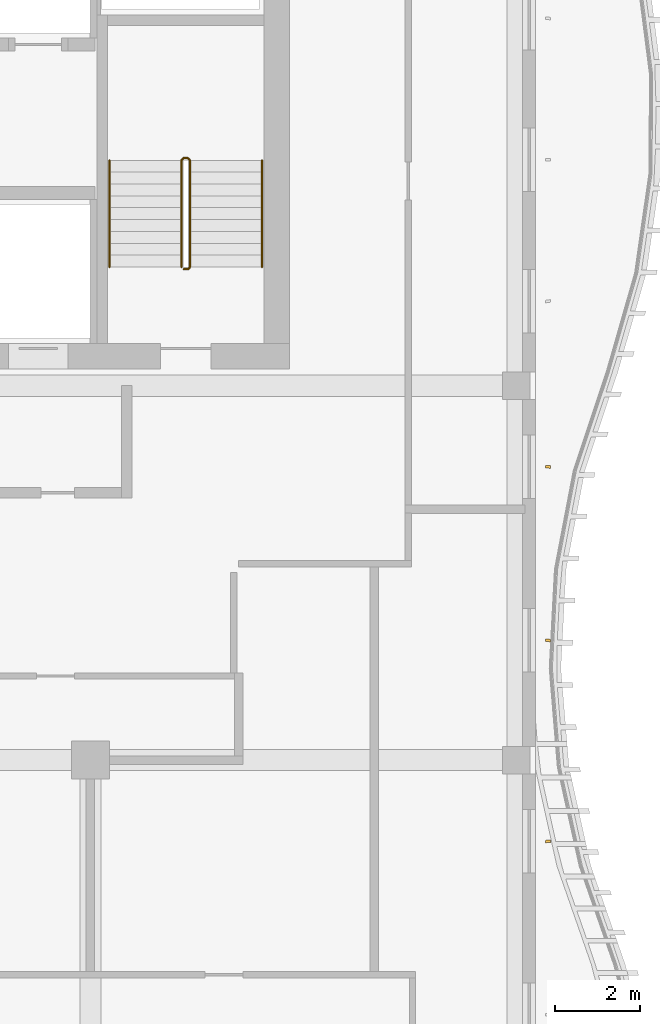
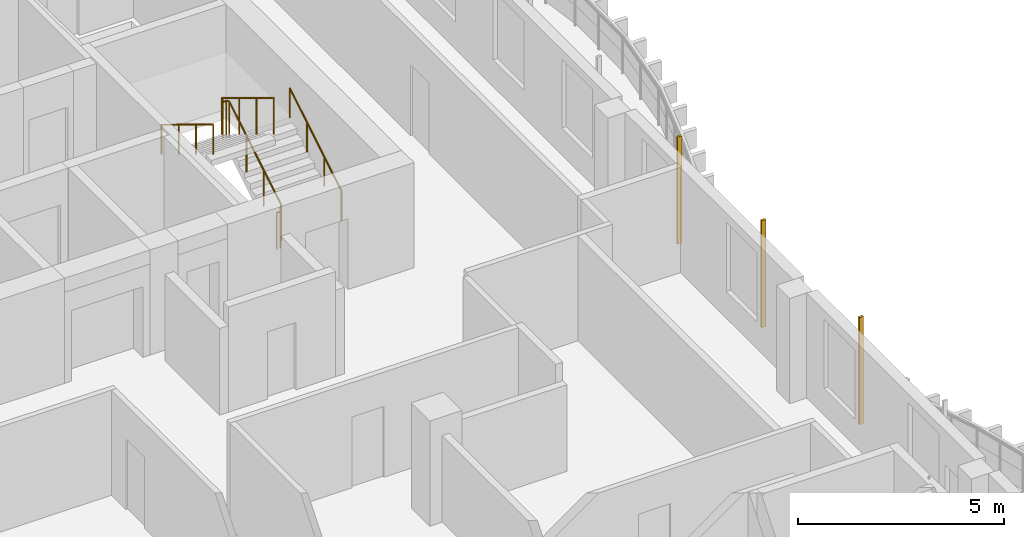
# One storey, part 16 of 18: 3 railings, 3 shading devices.
"""IFC4 building model written with IfcOpenShell, lengths in metres."""

from ifc_helpers import new_model, si_unit, direction, frame, origin, origin_2d, place, context, subcontext, project, spatial, rectangle, circle, extrude, source, transform, mapped, material, material_profile, profile_set, type_object, element, save


model = new_model("IFC4")

# Units and contexts
model_context = context("Model", 3, precision=1e-05, world=origin(), true_north=direction((0.0, 1.0)))
body_context = subcontext(model_context, "Body", "Model", "MODEL_VIEW")
ifc_project = project(units=[si_unit("LENGTHUNIT", "METRE"), si_unit("AREAUNIT", "SQUARE_METRE"), si_unit("VOLUMEUNIT", "CUBIC_METRE"), si_unit("PLANEANGLEUNIT", "RADIAN"), si_unit("MASSUNIT", "GRAM", prefix="KILO")], contexts=[model_context])

# Site, building, storey
site_placement = place(None, origin())
site = spatial("IfcSite", under=ifc_project, at=site_placement, CompositionType="ELEMENT")
building_placement = place(site_placement, origin())
building = spatial("IfcBuilding", under=site, at=building_placement, Name="Kilnfold Tower and Market Hall", CompositionType="ELEMENT")
storey_placement = place(building_placement, frame((0.0, 0.0, 277.199951171875)))
storey = spatial("IfcBuildingStorey", under=building, at=storey_placement, Name="L68", CompositionType="ELEMENT", Elevation=277.199951171875)

# Railings
ifc_material_1 = material(Name="Stainless steel 316", Category="steel")
railing_type_1 = type_object("IfcRailingType", Name="CORE STAIR GUARD 1100", PredefinedType="GUARDRAIL", material=ifc_material_1)
railing_1_placement = place(storey_placement, frame((15.199951171875, 10.75, 0.0)))
element("IfcRailing", 1, at=railing_1_placement, inside=storey, type_object=railing_type_1, Name="L68 ST2 stair guard 1", PredefinedType="GUARDRAIL", context=body_context, shape_type="SweptSolid", body=[
    extrude(circle(Radius=0.02392578125, at=origin_2d()), frame((0.0, 0.0, 1.076171875), z_axis=(1.0, 0.0, 0.0), x_axis=(0.0, 1.0, 0.0)), (0.0, 0.0, 1.0), 0.10009765625),
    extrude(circle(Radius=0.02392578125, at=origin_2d()), frame((0.10009765625, 0.0, 1.076171875), z_axis=(0.271562723297, 0.271562723297, 0.923313259209), x_axis=(-0.707106781187, 0.707106781187, 0.0)), (0.0, 0.0, 1.0), 0.184326171875),
    extrude(circle(Radius=0.02392578125, at=origin_2d()), frame((0.150146484375, 0.050048828125, 1.24609375), z_axis=(0.0, 0.854821627497, 0.518921945155), x_axis=(-1.0, 0.0, 0.0)), (0.0, 0.0, 1.0), 2.947998046875),
    extrude(circle(Radius=0.02392578125, at=origin_2d()), frame((0.150146484375, 2.570068359375, 2.77587890625), z_axis=(-0.707106781187, 0.707106781187, 0.0), x_axis=(-0.707106781187, -0.707106781187, 0.0)), (0.0, 0.0, 1.0), 0.07080078125),
    extrude(circle(Radius=0.02392578125, at=origin_2d()), frame((0.10009765625, 2.6201171875, 2.77587890625), z_axis=(-1.0, 0.0, 0.0), x_axis=(0.0, -1.0, 0.0)), (0.0, 0.0, 1.0), 0.10009765625),
    extrude(circle(Radius=0.02392578125, at=origin_2d()), frame((0.0, 2.6201171875, 2.77587890625), z_axis=(-0.271562723297, -0.271562723297, 0.923313259209), x_axis=(0.707106781187, -0.707106781187, 0.0)), (0.0, 0.0, 1.0), 0.184326171875),
    extrude(circle(Radius=0.02392578125, at=origin_2d()), frame((-0.050048828125, 2.570068359375, 2.9462890625), z_axis=(0.0, -0.85478489116, 0.518982456201), x_axis=(1.0, 0.0, 0.0)), (0.0, 0.0, 1.0), 2.9482421875),
    extrude(circle(Radius=0.02099609375, at=origin_2d()), origin(), (0.0, 0.0, 1.0), 1.052001953125),
    extrude(circle(Radius=0.02099609375, at=origin_2d()), frame((0.10009765625, 0.0, 0.0)), (0.0, 0.0, 1.0), 1.052001953125),
    extrude(circle(Radius=0.02099609375, at=origin_2d()), frame((0.150146484375, 0.050048828125, 0.170166015625)), (0.0, 0.0, 1.0), 1.052001953125),
    extrude(circle(Radius=0.02099609375, at=origin_2d()), frame((0.150146484375, 0.89013671875, 0.68017578125)), (0.0, 0.0, 1.0), 1.052001953125),
    extrude(circle(Radius=0.02099609375, at=origin_2d()), frame((0.150146484375, 1.72998046875, 1.18994140625)), (0.0, 0.0, 1.0), 1.052001953125),
    extrude(circle(Radius=0.02099609375, at=origin_2d()), frame((0.150146484375, 2.570068359375, 1.699951171875)), (0.0, 0.0, 1.0), 1.052001953125),
    extrude(circle(Radius=0.02099609375, at=origin_2d()), frame((0.10009765625, 2.6201171875, 1.699951171875)), (0.0, 0.0, 1.0), 1.052001953125),
    extrude(circle(Radius=0.02099609375, at=origin_2d()), frame((0.0, 2.6201171875, 1.699951171875)), (0.0, 0.0, 1.0), 1.052001953125),
    extrude(circle(Radius=0.02099609375, at=origin_2d()), frame((-0.050048828125, 2.570068359375, 1.8701171875)), (0.0, 0.0, 1.0), 1.052001953125),
    extrude(circle(Radius=0.02099609375, at=origin_2d()), frame((-0.050048828125, 1.72998046875, 2.380126953125)), (0.0, 0.0, 1.0), 1.052001953125),
    extrude(circle(Radius=0.02099609375, at=origin_2d()), frame((-0.050048828125, 0.89013671875, 2.89013671875)), (0.0, 0.0, 1.0), 1.052001953125),
    extrude(circle(Radius=0.02099609375, at=origin_2d()), frame((-0.050048828125, 0.050048828125, 3.400146484375)), (0.0, 0.0, 1.0), 1.052001953125),
])
ifc_material_2 = material(Name="Stainless steel 316", Category="steel")
railing_type_2 = type_object("IfcRailingType", Name="CORE STAIR HANDRAIL 900", PredefinedType="HANDRAIL", material=ifc_material_2)
railing_2_placement = place(storey_placement, frame((17.050048828125, 10.800048828125, 0.170166015625)))
element("IfcRailing", 2, at=railing_2_placement, inside=storey, type_object=railing_type_2, Name="L68 ST2 stair handrail 1", PredefinedType="HANDRAIL", context=body_context, shape_type="SweptSolid", body=[
    extrude(circle(Radius=0.02392578125, at=origin_2d()), frame((0.0, 0.0, 0.8759765625), z_axis=(0.0, 0.854821627497, 0.518921945155), x_axis=(-1.0, 0.0, 0.0)), (0.0, 0.0, 1.0), 2.947998046875),
    extrude(circle(Radius=0.02099609375, at=origin_2d()), origin(), (0.0, 0.0, 1.0), 0.851806640625),
    extrude(circle(Radius=0.02099609375, at=origin_2d()), frame((0.0, 0.840087890625, 0.510009765625)), (0.0, 0.0, 1.0), 0.851806640625),
    extrude(circle(Radius=0.02099609375, at=origin_2d()), frame((0.0, 1.679931640625, 1.019775390625)), (0.0, 0.0, 1.0), 0.851806640625),
    extrude(circle(Radius=0.02099609375, at=origin_2d()), frame((0.0, 2.52001953125, 1.52978515625)), (0.0, 0.0, 1.0), 0.851806640625),
])
railing_3_placement = place(storey_placement, frame((13.449951171875, 13.320068359375, 1.8701171875)))
element("IfcRailing", 3, at=railing_3_placement, inside=storey, type_object=railing_type_2, Name="L68 ST2 stair handrail 2", PredefinedType="HANDRAIL", context=body_context, shape_type="SweptSolid", body=[
    extrude(circle(Radius=0.02392578125, at=origin_2d()), frame((0.0, 0.0, 0.8759765625), z_axis=(0.0, -0.85478489116, 0.518982456201), x_axis=(1.0, 0.0, 0.0)), (0.0, 0.0, 1.0), 2.9482421875),
    extrude(circle(Radius=0.02099609375, at=origin_2d()), origin(), (0.0, 0.0, 1.0), 0.851806640625),
    extrude(circle(Radius=0.02099609375, at=origin_2d()), frame((0.0, -0.840087890625, 0.510009765625)), (0.0, 0.0, 1.0), 0.851806640625),
    extrude(circle(Radius=0.02099609375, at=origin_2d()), frame((0.0, -1.679931640625, 1.02001953125)), (0.0, 0.0, 1.0), 0.851806640625),
    extrude(circle(Radius=0.02099609375, at=origin_2d()), frame((0.0, -2.52001953125, 1.530029296875)), (0.0, 0.0, 1.0), 0.851806640625),
])

# Shading devices
ifc_material_3 = material(Name="Terracotta", Category="masonry")
ifc_material_profile = material_profile(ifc_material_3, rectangle(XDim=0.06005859375, YDim=0.1201171875, at=origin_2d()), Name="BAG 60x120")
ifc_profile_set = profile_set([ifc_material_profile], Name="Terracotta")
shading_device_type = type_object("IfcShadingDeviceType", Name="BAGUETTE", PredefinedType="USERDEFINED", material=ifc_profile_set)
shared_shape = source(origin(), body_context, "Body", "SweptSolid", [
    extrude(rectangle(XDim=0.06005859375, YDim=0.1201171875, at=origin_2d()), origin(), (0.0, 0.0, 1.0), 3.179931640625),
])
for number, where, z_axis, x_axis, name in (
    (4, (23.800048828125, -2.75, 0.0), (0.0, 0.0, 1.0), (-0.11828785303, 0.992979347129, 0.0), "Terracotta baguette L68 E"),
    (5, (23.800048828125, 1.99169921875, 0.0), (0.0, 0.0, 1.0), (0.124962669534, 0.992161444132, 0.0), "Terracotta baguette L68 E"),
    (6, (23.800048828125, 6.083251953125, 0.0), (0.0, 0.0, 1.0), (0.026588702632, 0.99964645795, 0.0), "Terracotta baguette L68 E"),
):
    element("IfcShadingDevice", number, at=place(storey_placement, frame(where, z_axis=z_axis, x_axis=x_axis)), inside=storey, type_object=shading_device_type, Name=name, ObjectType="BAGUETTE", PredefinedType="USERDEFINED", context=body_context, shape_type="MappedRepresentation", body=[
        mapped(shared_shape, transform((0.0, 0.0, 0.0))),
    ])

save(model, "model.ifc")
